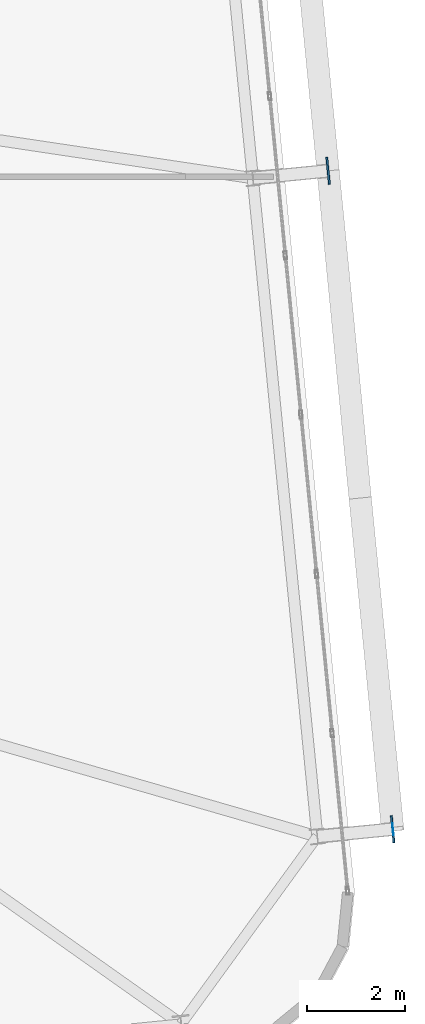
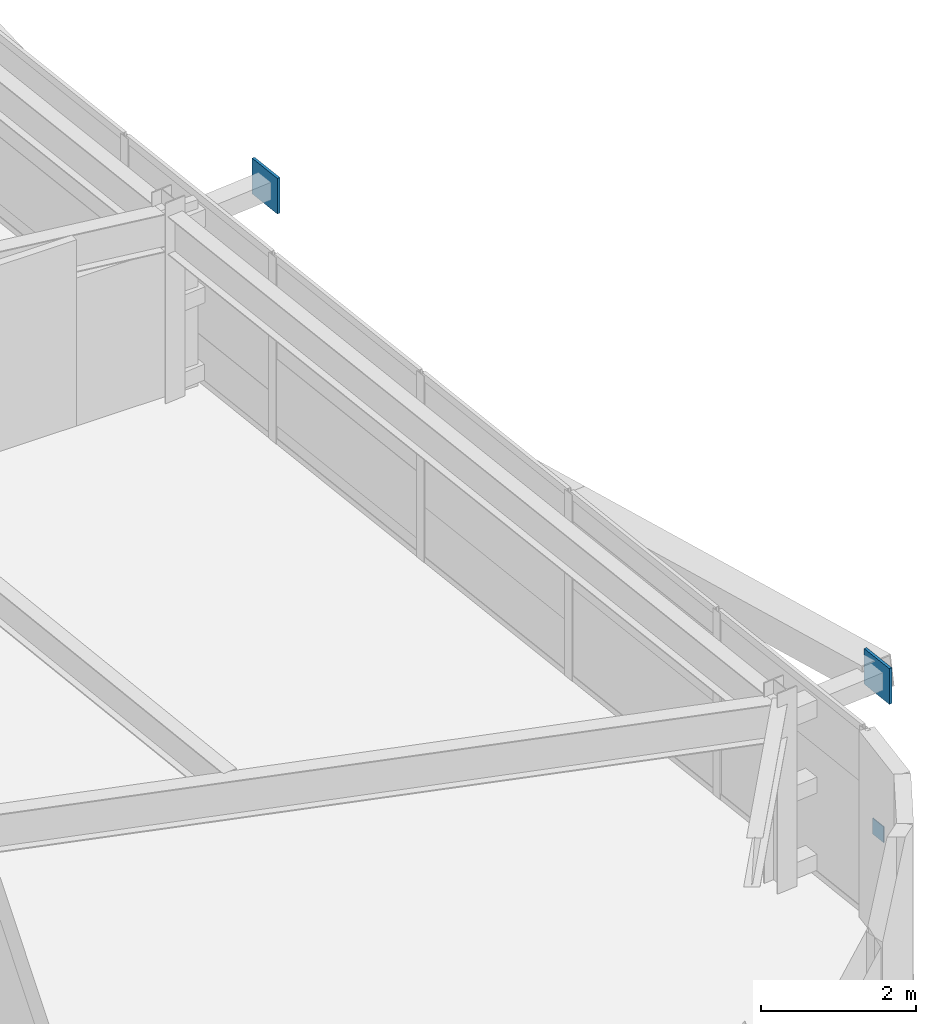
# One storey, part 42 of 53: 3 plates.
"""IFC4 building model written with IfcOpenShell, lengths in metres."""

from ifc_helpers import new_model, si_unit, direction, frame, origin, origin_2d, place, context, subcontext, project, spatial, rectangle, extrude, source, transform, mapped, material, layer, layer_set, type_object, element, save


model = new_model("IFC4")

# Units and contexts
model_context = context("Model", 3, precision=1e-05, world=origin(), true_north=direction((0.0, 1.0)))
body_context = subcontext(model_context, "Body", "Model", "MODEL_VIEW")
ifc_project = project(units=[si_unit("LENGTHUNIT", "METRE"), si_unit("AREAUNIT", "SQUARE_METRE"), si_unit("VOLUMEUNIT", "CUBIC_METRE"), si_unit("PLANEANGLEUNIT", "RADIAN"), si_unit("MASSUNIT", "GRAM", prefix="KILO")], contexts=[model_context])

# Site, building, storey
site_placement = place(None, origin())
site = spatial("IfcSite", under=ifc_project, at=site_placement, CompositionType="ELEMENT")
building_placement = place(site_placement, origin())
building = spatial("IfcBuilding", under=site, at=building_placement, Name="Taldren Reach Tower", CompositionType="ELEMENT")
storey_placement = place(building_placement, frame((0.0, 0.0, 84.0)))
storey = spatial("IfcBuildingStorey", under=building, at=storey_placement, Name="L25", CompositionType="ELEMENT", Elevation=84.0)

# Plates
ifc_material_1 = material(Name="Steel Gr 450 (C450L0)", Category="steel")
ifc_layer_1 = layer(ifc_material_1, 0.0400390625)
ifc_layer_set_1 = layer_set([ifc_layer_1], Name="Steel Gr 450 (C450L0)")
plate_type_1 = type_object("IfcPlateType", Name="PL-GUSSET-40", PredefinedType="SHEET", material=ifc_layer_set_1)
shared_shape_1 = source(origin(), body_context, "Body", "SweptSolid", [
    extrude(rectangle(XDim=0.56005859375, YDim=0.0400390625, at=origin_2d()), origin(), (0.0, 0.0, 1.0), 0.56005859375),
])
for number, where, z_axis, x_axis, name in (
    (1, (67.434326171875, 8.634765625, 2.369873046875), (0.0, 0.0, 1.0), (-0.097582899759, 0.995227399982, 0.0), "Exoskeleton star-node gusset plate B2-E1 L25"),
    (2, (66.112060546875, 22.1201171875, 2.369873046875), (0.0, 0.0, 1.0), (-0.097582899759, 0.995227399982, 0.0), "Exoskeleton star-node gusset plate B2-E2 L25"),
):
    element("IfcPlate", number, at=place(storey_placement, frame(where, z_axis=z_axis, x_axis=x_axis)), inside=storey, type_object=plate_type_1, Name=name, PredefinedType="SHEET", context=body_context, shape_type="MappedRepresentation", body=[
        mapped(shared_shape_1, transform((0.0, 0.0, 0.0), scale=1.0)),
    ])
ifc_material_2 = material(Name="Steel Gr 350 (C350L0)", Category="steel")
ifc_layer_2 = layer(ifc_material_2, 0.011962890625)
ifc_layer_set_2 = layer_set([ifc_layer_2], Name="Steel Gr 350 (C350L0)")
plate_type_2 = type_object("IfcPlateType", Name="PL-CAP-250", PredefinedType="SHEET", material=ifc_layer_set_2)
shared_shape_2 = source(origin(), body_context, "Body", "SweptSolid", [
    extrude(rectangle(XDim=0.011962890625, YDim=0.25, at=origin_2d()), origin(), (0.0, 0.0, 1.0), 0.25),
])
plate_placement = place(storey_placement, frame((67.440185546875, 8.635498046875, 0.094970703125), z_axis=(0.0, 0.0, 1.0), x_axis=(0.995227399982, 0.097582899759, 0.0)))
element("IfcPlate", 3, at=plate_placement, inside=storey, type_object=plate_type_2, Name="Tie strut end cap plate B2-E1 L25", PredefinedType="SHEET", context=body_context, shape_type="MappedRepresentation", body=[
    mapped(shared_shape_2, transform((0.0, 0.0, 0.0), scale=1.0)),
])

save(model, "model.ifc")
